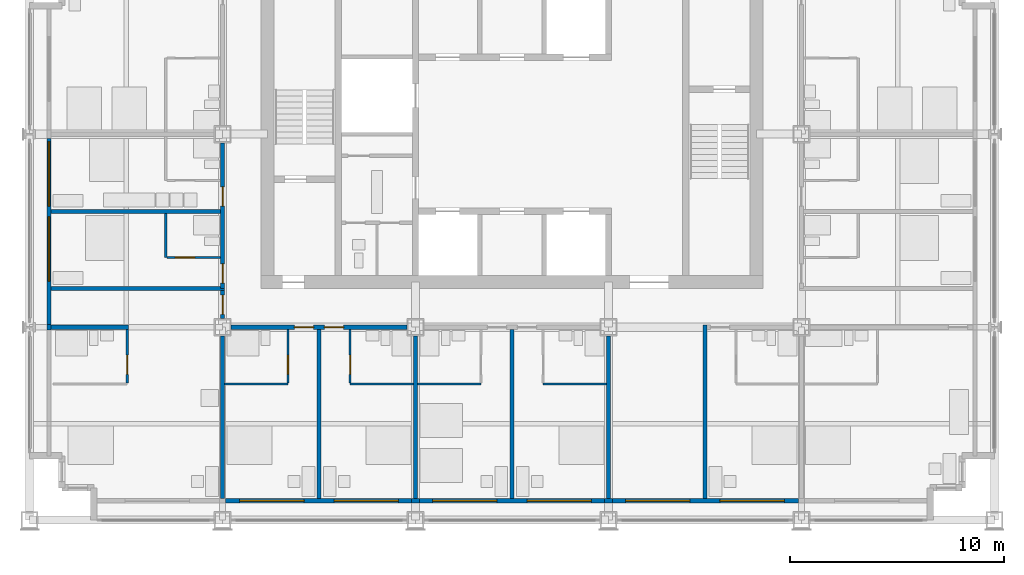
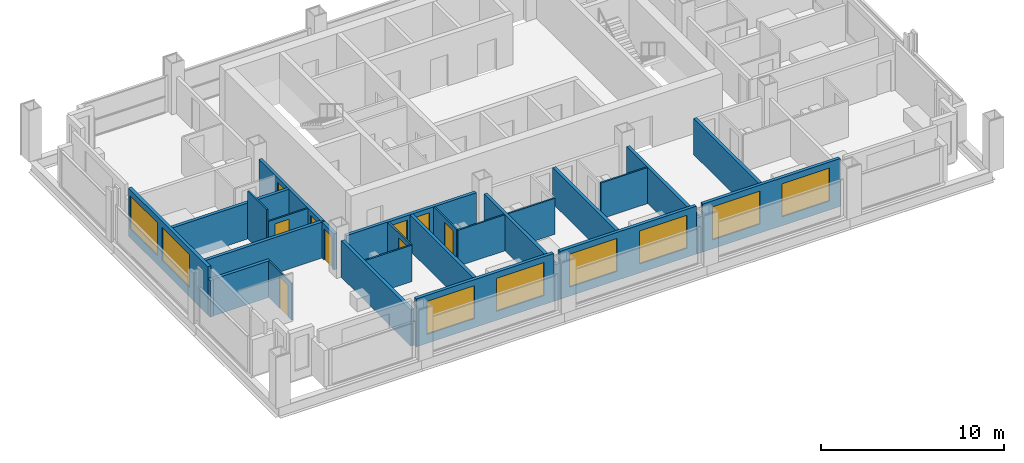
# One storey, part 7 of 14: 28 walls, 9 doors, 8 windows, 17 openings.
"""IFC4 building model written with IfcOpenShell, lengths in metres."""

from ifc_helpers import new_model, si_unit, direction, frame, frame_2d, origin, place, context, subcontext, project, spatial, rectangle, extrude, material, layer, layer_set, type_object, element, fill, save


model = new_model("IFC4")

# Units and contexts
model_context = context("Model", 3, precision=1e-05, world=origin(), true_north=direction((0.0, 1.0)))
body_context = subcontext(model_context, "Body", "Model", "MODEL_VIEW")
ifc_project = project(units=[si_unit("LENGTHUNIT", "METRE"), si_unit("AREAUNIT", "SQUARE_METRE"), si_unit("VOLUMEUNIT", "CUBIC_METRE"), si_unit("PLANEANGLEUNIT", "RADIAN"), si_unit("MASSUNIT", "GRAM", prefix="KILO")], contexts=[model_context])

# Site, building, storey
site_placement = place(None, origin())
site = spatial("IfcSite", under=ifc_project, at=site_placement, CompositionType="ELEMENT")
building_placement = place(site_placement, origin())
building = spatial("IfcBuilding", under=site, at=building_placement, Name="Loomwork Tower", CompositionType="ELEMENT")
storey_placement = place(building_placement, frame((0.0, 0.0, 170.60009765625)))
storey = spatial("IfcBuildingStorey", under=building, at=storey_placement, Name="L46", CompositionType="ELEMENT", Elevation=170.60009765625)

# Wall
ifc_material_1 = material(Name="Gypsum board on steel studs, one-hour", Category="steel")
ifc_layer_1 = layer(ifc_material_1, 0.199951171875)
ifc_layer_set_1 = layer_set([ifc_layer_1], Name="Corridor wall 200")
wall_type_1 = type_object("IfcWallType", Name="Corridor wall 200", PredefinedType="PARTITIONING", material=ifc_layer_set_1)
wall_1_placement = place(storey_placement, frame((1.0, 9.0, 0.0), z_axis=(0.0, 0.0, 1.0), x_axis=(1.0, 0.0, 0.0)))
element("IfcWall", 1, at=wall_1_placement, inside=storey, type_object=wall_type_1, Name="South corridor wall 1", PredefinedType="PARTITIONING", context=body_context, shape_type="SweptSolid", body=[
    extrude(rectangle(XDim=3.60009765625, YDim=0.199951171875, at=frame_2d((1.800048828125, 0.0))), origin(), (0.0, 0.0, 1.0), 2.43798828125),
])

# Wall, openings, doors
wall_2_placement = place(storey_placement, frame((9.39990234375, 9.0, 0.0), z_axis=(0.0, 0.0, 1.0), x_axis=(1.0, 0.0, 0.0)))
wall_2 = element("IfcWall", 2, at=wall_2_placement, inside=storey, type_object=wall_type_1, Name="South corridor wall 2", PredefinedType="PARTITIONING", context=body_context, shape_type="SweptSolid", body=[
    extrude(rectangle(XDim=8.2001953125, YDim=0.199951171875, at=frame_2d((4.10009765625, 0.0))), origin(), (0.0, 0.0, 1.0), 2.40478515625),
])
opening_1_placement = place(wall_2_placement, frame((2.949951171875, 0.0, 0.0)))
opening_1 = element("IfcOpeningElement", 3, at=opening_1_placement, cuts=wall_2, Name="Opening D1", PredefinedType="OPENING", context=body_context, shape_type="SweptSolid", body=[
    extrude(rectangle(XDim=0.89990234375, YDim=2.10009765625, at=frame_2d((0.449951171875, 1.050048828125))), frame((0.0, 0.10986328125, 0.0), z_axis=(0.0, -1.0, 0.0), x_axis=(1.0, 0.0, 0.0)), (0.0, 0.0, 1.0), 0.219970703125),
])
opening_2_placement = place(wall_2_placement, frame((4.35009765625, 0.0, 0.0)))
opening_2 = element("IfcOpeningElement", 4, at=opening_2_placement, cuts=wall_2, Name="Opening D1", PredefinedType="OPENING", context=body_context, shape_type="SweptSolid", body=[
    extrude(rectangle(XDim=0.89990234375, YDim=2.10009765625, at=frame_2d((0.449951171875, 1.050048828125))), frame((0.0, 0.10986328125, 0.0), z_axis=(0.0, -1.0, 0.0), x_axis=(1.0, 0.0, 0.0)), (0.0, 0.0, 1.0), 0.219970703125),
])
ifc_material_2 = material(Name="Hollow metal door and frame")
door_type_1 = type_object("IfcDoorType", Name="Guest room entry door 900", OperationType="SINGLE_SWING_LEFT", PredefinedType="DOOR", material=ifc_material_2)
door_1_placement = place(opening_1_placement, frame((0.89990234375, 0.0, 0.0), z_axis=(0.0, 0.0, 1.0), x_axis=(-1.0, 0.0, 0.0)))
door_1 = element("IfcDoor", 5, at=door_1_placement, inside=storey, type_object=door_type_1, Name="Guest room entry door L46 2", OperationType="SINGLE_SWING_LEFT", OverallHeight=2.10009765625, OverallWidth=0.89990234375, PredefinedType="DOOR", context=body_context, shape_type="SweptSolid", body=[
    extrude(rectangle(XDim=0.89990234375, YDim=2.10009765625, at=frame_2d((0.449951171875, 1.050048828125))), frame((0.0, 0.02490234375, 0.0), z_axis=(0.0, -1.0, 0.0), x_axis=(1.0, 0.0, 0.0)), (0.0, 0.0, 1.0), 0.050048828125),
])
fill(opening_1, door_1)
door_2_placement = place(opening_2_placement, frame((0.89990234375, 0.0, 0.0), z_axis=(0.0, 0.0, 1.0), x_axis=(-1.0, 0.0, 0.0)))
door_2 = element("IfcDoor", 6, at=door_2_placement, inside=storey, type_object=door_type_1, Name="Guest room entry door L46 3", OperationType="SINGLE_SWING_RIGHT", OverallHeight=2.10009765625, OverallWidth=0.89990234375, PredefinedType="DOOR", context=body_context, shape_type="SweptSolid", body=[
    extrude(rectangle(XDim=0.89990234375, YDim=2.10009765625, at=frame_2d((0.449951171875, 1.050048828125))), frame((0.0, 0.02490234375, 0.0), z_axis=(0.0, -1.0, 0.0), x_axis=(1.0, 0.0, 0.0)), (0.0, 0.0, 1.0), 0.050048828125),
])
fill(opening_2, door_2)

wall_3_placement = place(storey_placement, frame((9.0, 10.800048828125, 0.0), z_axis=(0.0, 0.0, 1.0), x_axis=(0.0, 1.0, 0.0)))
wall_3 = element("IfcWall", 7, at=wall_3_placement, inside=storey, type_object=wall_type_1, Name="West corridor wall 1", PredefinedType="PARTITIONING", context=body_context, shape_type="SweptSolid", body=[
    extrude(rectangle(XDim=6.800048828125, YDim=0.199951171875, at=frame_2d((3.39990234375, 0.0))), origin(), (0.0, 0.0, 1.0), 2.40478515625),
])
opening_3_placement = place(wall_3_placement, frame((0.25, 0.0, 0.0)))
opening_3 = element("IfcOpeningElement", 8, at=opening_3_placement, cuts=wall_3, Name="Opening D1", PredefinedType="OPENING", context=body_context, shape_type="SweptSolid", body=[
    extrude(rectangle(XDim=0.89990234375, YDim=2.10009765625, at=frame_2d((0.449951171875, 1.050048828125))), frame((0.0, 0.10986328125, 0.0), z_axis=(0.0, -1.0, 0.0), x_axis=(1.0, 0.0, 0.0)), (0.0, 0.0, 1.0), 0.219970703125),
])
opening_4_placement = place(wall_3_placement, frame((3.85009765625, 0.0, 0.0)))
opening_4 = element("IfcOpeningElement", 9, at=opening_4_placement, cuts=wall_3, Name="Opening D1", PredefinedType="OPENING", context=body_context, shape_type="SweptSolid", body=[
    extrude(rectangle(XDim=0.89990234375, YDim=2.10009765625, at=frame_2d((0.449951171875, 1.050048828125))), frame((0.0, 0.10986328125, 0.0), z_axis=(0.0, -1.0, 0.0), x_axis=(1.0, 0.0, 0.0)), (0.0, 0.0, 1.0), 0.219970703125),
])
door_3_placement = place(opening_3_placement, origin())
door_3 = element("IfcDoor", 10, at=door_3_placement, inside=storey, type_object=door_type_1, Name="Guest room entry door L46 8", OperationType="SINGLE_SWING_LEFT", OverallHeight=2.10009765625, OverallWidth=0.89990234375, PredefinedType="DOOR", context=body_context, shape_type="SweptSolid", body=[
    extrude(rectangle(XDim=0.89990234375, YDim=2.10009765625, at=frame_2d((0.449951171875, 1.050048828125))), frame((0.0, 0.02490234375, 0.0), z_axis=(0.0, -1.0, 0.0), x_axis=(1.0, 0.0, 0.0)), (0.0, 0.0, 1.0), 0.050048828125),
])
fill(opening_3, door_3)
door_4_placement = place(opening_4_placement, origin())
door_4 = element("IfcDoor", 11, at=door_4_placement, inside=storey, type_object=door_type_1, Name="Guest room entry door L46 9", OperationType="SINGLE_SWING_LEFT", OverallHeight=2.10009765625, OverallWidth=0.89990234375, PredefinedType="DOOR", context=body_context, shape_type="SweptSolid", body=[
    extrude(rectangle(XDim=0.89990234375, YDim=2.10009765625, at=frame_2d((0.449951171875, 1.050048828125))), frame((0.0, 0.02490234375, 0.0), z_axis=(0.0, -1.0, 0.0), x_axis=(1.0, 0.0, 0.0)), (0.0, 0.0, 1.0), 0.050048828125),
])
fill(opening_4, door_4)

# Wall
wall_4_placement = place(storey_placement, frame((1.0, 10.800048828125, 0.0), z_axis=(0.0, 0.0, 1.0), x_axis=(1.0, 0.0, 0.0)))
element("IfcWall", 12, at=wall_4_placement, inside=storey, type_object=wall_type_1, Name="West band end wall S", PredefinedType="PARTITIONING", context=body_context, shape_type="SweptSolid", body=[
    extrude(rectangle(XDim=8.10009765625, YDim=0.199951171875, at=frame_2d((4.050048828125, 0.0))), origin(), (0.0, 0.0, 1.0), 2.40380859375),
])

# Wall, opening, door
wall_5_placement = place(storey_placement, frame((9.0, 9.39990234375, 0.0), z_axis=(0.0, 0.0, 1.0), x_axis=(0.0, 1.0, 0.0)))
wall_5 = element("IfcWall", 13, at=wall_5_placement, inside=storey, type_object=wall_type_1, Name="Corner suite foyer wall", PredefinedType="PARTITIONING", context=body_context, shape_type="SweptSolid", body=[
    extrude(rectangle(XDim=1.300048828125, YDim=0.199951171875, at=frame_2d((0.64990234375, 0.0))), origin(), (0.0, 0.0, 1.0), 2.40478515625),
])
opening_5_placement = place(wall_5_placement, frame((0.199951171875, 0.0, 0.0)))
opening_5 = element("IfcOpeningElement", 14, at=opening_5_placement, cuts=wall_5, Name="Opening D1", PredefinedType="OPENING", context=body_context, shape_type="SweptSolid", body=[
    extrude(rectangle(XDim=0.89990234375, YDim=2.10009765625, at=frame_2d((0.449951171875, 1.050048828125))), frame((0.0, 0.10986328125, 0.0), z_axis=(0.0, -1.0, 0.0), x_axis=(1.0, 0.0, 0.0)), (0.0, 0.0, 1.0), 0.219970703125),
])
door_5_placement = place(opening_5_placement, origin())
door_5 = element("IfcDoor", 15, at=door_5_placement, inside=storey, type_object=door_type_1, Name="Guest room entry door L46 1", OperationType="SINGLE_SWING_RIGHT", OverallHeight=2.10009765625, OverallWidth=0.89990234375, PredefinedType="DOOR", context=body_context, shape_type="SweptSolid", body=[
    extrude(rectangle(XDim=0.89990234375, YDim=2.10009765625, at=frame_2d((0.449951171875, 1.050048828125))), frame((0.0, 0.02490234375, 0.0), z_axis=(0.0, -1.0, 0.0), x_axis=(1.0, 0.0, 0.0)), (0.0, 0.0, 1.0), 0.050048828125),
])
fill(opening_5, door_5)

ifc_material_3 = material(Name="Cement board on steel studs", Category="steel")
ifc_layer_2 = layer(ifc_material_3, 0.10009765625)
ifc_layer_set_2 = layer_set([ifc_layer_2], Name="En-suite partition 100")
wall_type_2 = type_object("IfcWallType", Name="En-suite partition 100", PredefinedType="PARTITIONING", material=ifc_layer_set_2)
wall_6_placement = place(storey_placement, frame((4.550048828125, 8.89990234375, 0.0), z_axis=(0.0, 0.0, 1.0), x_axis=(0.0, -1.0, 0.0)))
wall_6 = element("IfcWall", 16, at=wall_6_placement, inside=storey, type_object=wall_type_2, Name="En-suite side wall L46 room 1", PredefinedType="PARTITIONING", context=body_context, shape_type="SweptSolid", body=[
    extrude(rectangle(XDim=2.5, YDim=0.10009765625, at=frame_2d((1.25, 0.0))), origin(), (0.0, 0.0, 1.0), 2.43798828125),
])
opening_6_placement = place(wall_6_placement, frame((1.199951171875, 0.0, 0.0)))
opening_6 = element("IfcOpeningElement", 17, at=opening_6_placement, cuts=wall_6, Name="Opening D3", PredefinedType="OPENING", context=body_context, shape_type="SweptSolid", body=[
    extrude(rectangle(XDim=0.89990234375, YDim=2.10009765625, at=frame_2d((0.449951171875, 1.050048828125))), frame((0.0, 0.06005859375, 0.0), z_axis=(0.0, -1.0, 0.0), x_axis=(1.0, 0.0, 0.0)), (0.0, 0.0, 1.0), 0.1201171875),
])
ifc_material_4 = material(Name="Hollow metal door and frame")
door_type_2 = type_object("IfcDoorType", Name="Accessible en-suite door 900", OperationType="SLIDING_TO_LEFT", PredefinedType="DOOR", material=ifc_material_4)
door_6_placement = place(opening_6_placement, origin())
door_6 = element("IfcDoor", 18, at=door_6_placement, inside=storey, type_object=door_type_2, Name="Accessible en-suite door room 1", OperationType="SLIDING_TO_LEFT", OverallHeight=2.10009765625, OverallWidth=0.89990234375, PredefinedType="DOOR", context=body_context, shape_type="SweptSolid", body=[
    extrude(rectangle(XDim=0.89990234375, YDim=2.10009765625, at=frame_2d((0.449951171875, 1.050048828125))), frame((0.0, 0.02490234375, 0.0), z_axis=(0.0, -1.0, 0.0), x_axis=(1.0, 0.0, 0.0)), (0.0, 0.0, 1.0), 0.050048828125),
])
fill(opening_6, door_6)

# Wall
wall_7_placement = place(storey_placement, frame((9.10009765625, 6.35009765625, 0.0), z_axis=(0.0, 0.0, 1.0), x_axis=(1.0, 0.0, 0.0)))
element("IfcWall", 19, at=wall_7_placement, inside=storey, type_object=wall_type_2, Name="En-suite wall L46 room 2", PredefinedType="PARTITIONING", context=body_context, shape_type="SweptSolid", body=[
    extrude(rectangle(XDim=2.949951171875, YDim=0.10009765625, at=frame_2d((1.47509765625, 0.0))), origin(), (0.0, 0.0, 1.0), 2.43798828125),
])

# Wall, opening, door
wall_8_placement = place(storey_placement, frame((12.050048828125, 8.89990234375, 0.0), z_axis=(0.0, 0.0, 1.0), x_axis=(0.0, -1.0, 0.0)))
wall_8 = element("IfcWall", 20, at=wall_8_placement, inside=storey, type_object=wall_type_2, Name="En-suite side wall L46 room 2", PredefinedType="PARTITIONING", context=body_context, shape_type="SweptSolid", body=[
    extrude(rectangle(XDim=2.5, YDim=0.10009765625, at=frame_2d((1.25, 0.0))), origin(), (0.0, 0.0, 1.0), 2.40380859375),
])
opening_7_placement = place(wall_8_placement, frame((1.199951171875, 0.0, 0.0)))
opening_7 = element("IfcOpeningElement", 21, at=opening_7_placement, cuts=wall_8, Name="Opening D3", PredefinedType="OPENING", context=body_context, shape_type="SweptSolid", body=[
    extrude(rectangle(XDim=0.89990234375, YDim=2.10009765625, at=frame_2d((0.449951171875, 1.050048828125))), frame((0.0, 0.06005859375, 0.0), z_axis=(0.0, -1.0, 0.0), x_axis=(1.0, 0.0, 0.0)), (0.0, 0.0, 1.0), 0.1201171875),
])
door_7_placement = place(opening_7_placement, origin())
door_7 = element("IfcDoor", 22, at=door_7_placement, inside=storey, type_object=door_type_2, Name="Accessible en-suite door room 2", OperationType="SLIDING_TO_LEFT", OverallHeight=2.10009765625, OverallWidth=0.89990234375, PredefinedType="DOOR", context=body_context, shape_type="SweptSolid", body=[
    extrude(rectangle(XDim=0.89990234375, YDim=2.10009765625, at=frame_2d((0.449951171875, 1.050048828125))), frame((0.0, 0.02490234375, 0.0), z_axis=(0.0, -1.0, 0.0), x_axis=(1.0, 0.0, 0.0)), (0.0, 0.0, 1.0), 0.050048828125),
])
fill(opening_7, door_7)

# Wall
wall_9_placement = place(storey_placement, frame((14.949951171875, 6.35009765625, 0.0), z_axis=(0.0, 0.0, 1.0), x_axis=(1.0, 0.0, 0.0)))
element("IfcWall", 23, at=wall_9_placement, inside=storey, type_object=wall_type_2, Name="En-suite wall L46 room 3", PredefinedType="PARTITIONING", context=body_context, shape_type="SweptSolid", body=[
    extrude(rectangle(XDim=2.949951171875, YDim=0.10009765625, at=frame_2d((1.47509765625, 0.0))), origin(), (0.0, 0.0, 1.0), 2.40380859375),
])

# Wall, opening, door
wall_10_placement = place(storey_placement, frame((14.949951171875, 8.89990234375, 0.0), z_axis=(0.0, 0.0, 1.0), x_axis=(0.0, -1.0, 0.0)))
wall_10 = element("IfcWall", 24, at=wall_10_placement, inside=storey, type_object=wall_type_2, Name="En-suite side wall L46 room 3", PredefinedType="PARTITIONING", context=body_context, shape_type="SweptSolid", body=[
    extrude(rectangle(XDim=2.5, YDim=0.10009765625, at=frame_2d((1.25, 0.0))), origin(), (0.0, 0.0, 1.0), 2.40380859375),
])
opening_8_placement = place(wall_10_placement, frame((1.199951171875, 0.0, 0.0)))
opening_8 = element("IfcOpeningElement", 25, at=opening_8_placement, cuts=wall_10, Name="Opening D2", PredefinedType="OPENING", context=body_context, shape_type="SweptSolid", body=[
    extrude(rectangle(XDim=0.89990234375, YDim=2.10009765625, at=frame_2d((0.449951171875, 1.050048828125))), frame((0.0, 0.06005859375, 0.0), z_axis=(0.0, -1.0, 0.0), x_axis=(1.0, 0.0, 0.0)), (0.0, 0.0, 1.0), 0.1201171875),
])
ifc_material_5 = material(Name="Hollow metal door and frame")
door_type_3 = type_object("IfcDoorType", Name="En-suite door 900", OperationType="SINGLE_SWING_LEFT", PredefinedType="DOOR", material=ifc_material_5)
door_8_placement = place(opening_8_placement, origin())
door_8 = element("IfcDoor", 26, at=door_8_placement, inside=storey, type_object=door_type_3, Name="En-suite door room 3", OperationType="SINGLE_SWING_RIGHT", OverallHeight=2.10009765625, OverallWidth=0.89990234375, PredefinedType="DOOR", context=body_context, shape_type="SweptSolid", body=[
    extrude(rectangle(XDim=0.89990234375, YDim=2.10009765625, at=frame_2d((0.449951171875, 1.050048828125))), frame((0.0, 0.02490234375, 0.0), z_axis=(0.0, -1.0, 0.0), x_axis=(1.0, 0.0, 0.0)), (0.0, 0.0, 1.0), 0.050048828125),
])
fill(opening_8, door_8)

# Walls
for number, where, z_axis, x_axis, name in (
    (27, (18.10009765625, 6.35009765625, 0.0), (0.0, 0.0, 1.0), (1.0, 0.0, 0.0), "En-suite wall L46 room 4"),
    (28, (23.949951171875, 6.35009765625, 0.0), (0.0, 0.0, 1.0), (1.0, 0.0, 0.0), "En-suite wall L46 room 5"),
):
    element("IfcWall", number, at=place(storey_placement, frame(where, z_axis=z_axis, x_axis=x_axis)), inside=storey, type_object=wall_type_2, Name=name, PredefinedType="PARTITIONING", context=body_context, shape_type="SweptSolid", body=[
        extrude(rectangle(XDim=2.949951171875, YDim=0.10009765625, at=frame_2d((1.47509765625, 0.0))), origin(), (0.0, 0.0, 1.0), 2.40380859375),
    ])
wall_11_placement = place(storey_placement, frame((6.35009765625, 12.25, 0.0), z_axis=(0.0, 0.0, 1.0), x_axis=(0.0, 1.0, 0.0)))
element("IfcWall", 29, at=wall_11_placement, inside=storey, type_object=wall_type_2, Name="En-suite wall L46 room 8", PredefinedType="PARTITIONING", context=body_context, shape_type="SweptSolid", body=[
    extrude(rectangle(XDim=2.050048828125, YDim=0.10009765625, at=frame_2d((1.02490234375, 0.0))), origin(), (0.0, 0.0, 1.0), 3.199951171875),
])

# Wall, opening, door
wall_12_placement = place(storey_placement, frame((8.89990234375, 12.25, 0.0), z_axis=(0.0, 0.0, 1.0), x_axis=(-1.0, 0.0, 0.0)))
wall_12 = element("IfcWall", 30, at=wall_12_placement, inside=storey, type_object=wall_type_2, Name="En-suite side wall L46 room 8", PredefinedType="PARTITIONING", context=body_context, shape_type="SweptSolid", body=[
    extrude(rectangle(XDim=2.5, YDim=0.10009765625, at=frame_2d((1.25, 0.0))), origin(), (0.0, 0.0, 1.0), 2.40380859375),
])
opening_9_placement = place(wall_12_placement, frame((1.199951171875, 0.0, 0.0)))
opening_9 = element("IfcOpeningElement", 31, at=opening_9_placement, cuts=wall_12, Name="Opening D2", PredefinedType="OPENING", context=body_context, shape_type="SweptSolid", body=[
    extrude(rectangle(XDim=0.89990234375, YDim=2.10009765625, at=frame_2d((0.449951171875, 1.050048828125))), frame((0.0, 0.06005859375, 0.0), z_axis=(0.0, -1.0, 0.0), x_axis=(1.0, 0.0, 0.0)), (0.0, 0.0, 1.0), 0.1201171875),
])
door_9_placement = place(opening_9_placement, frame((0.89990234375, 0.0, 0.0), z_axis=(0.0, 0.0, 1.0), x_axis=(-1.0, 0.0, 0.0)))
door_9 = element("IfcDoor", 32, at=door_9_placement, inside=storey, type_object=door_type_3, Name="En-suite door room 8", OperationType="SINGLE_SWING_LEFT", OverallHeight=2.10009765625, OverallWidth=0.89990234375, PredefinedType="DOOR", context=body_context, shape_type="SweptSolid", body=[
    extrude(rectangle(XDim=0.89990234375, YDim=2.10009765625, at=frame_2d((0.449951171875, 1.050048828125))), frame((0.0, 0.02490234375, 0.0), z_axis=(0.0, -1.0, 0.0), x_axis=(1.0, 0.0, 0.0)), (0.0, 0.0, 1.0), 0.050048828125),
])
fill(opening_9, door_9)

# Walls
ifc_material_6 = material(Name="Gypsum board on steel studs, acoustic", Category="steel")
ifc_layer_3 = layer(ifc_material_6, 0.199951171875)
ifc_layer_set_3 = layer_set([ifc_layer_3], Name="Guest room party wall 200")
wall_type_3 = type_object("IfcWallType", Name="Guest room party wall 200", PredefinedType="PARTITIONING", material=ifc_layer_set_3)
wall_13_placement = place(storey_placement, frame((9.0, 8.60009765625, 0.0), z_axis=(0.0, 0.0, 1.0), x_axis=(0.0, -1.0, 0.0)))
element("IfcWall", 33, at=wall_13_placement, inside=storey, type_object=wall_type_3, Name="Guest room party wall S 9", PredefinedType="PARTITIONING", context=body_context, shape_type="SweptSolid", body=[
    extrude(rectangle(XDim=7.60009765625, YDim=0.199951171875, at=frame_2d((3.800048828125, 0.0))), origin(), (0.0, 0.0, 1.0), 2.43798828125),
])
wall_14_placement = place(storey_placement, frame((13.5, 8.89990234375, 0.0), z_axis=(0.0, 0.0, 1.0), x_axis=(0.0, -1.0, 0.0)))
element("IfcWall", 34, at=wall_14_placement, inside=storey, type_object=wall_type_3, Name="Guest room party wall S 13.5", PredefinedType="PARTITIONING", context=body_context, shape_type="SweptSolid", body=[
    extrude(rectangle(XDim=7.89990234375, YDim=0.199951171875, at=frame_2d((3.949951171875, 0.0))), origin(), (0.0, 0.0, 1.0), 2.40380859375),
])
wall_15_placement = place(storey_placement, frame((18.0, 8.60009765625, 0.0), z_axis=(0.0, 0.0, 1.0), x_axis=(0.0, -1.0, 0.0)))
element("IfcWall", 35, at=wall_15_placement, inside=storey, type_object=wall_type_3, Name="Guest room party wall S 18", PredefinedType="PARTITIONING", context=body_context, shape_type="SweptSolid", body=[
    extrude(rectangle(XDim=7.60009765625, YDim=0.199951171875, at=frame_2d((3.800048828125, 0.0))), origin(), (0.0, 0.0, 1.0), 2.40478515625),
])
wall_16_placement = place(storey_placement, frame((22.5, 8.89990234375, 0.0), z_axis=(0.0, 0.0, 1.0), x_axis=(0.0, -1.0, 0.0)))
element("IfcWall", 36, at=wall_16_placement, inside=storey, type_object=wall_type_3, Name="Guest room party wall S 22.5", PredefinedType="PARTITIONING", context=body_context, shape_type="SweptSolid", body=[
    extrude(rectangle(XDim=7.89990234375, YDim=0.199951171875, at=frame_2d((3.949951171875, 0.0))), origin(), (0.0, 0.0, 1.0), 2.40380859375),
])
wall_17_placement = place(storey_placement, frame((27.0, 8.60009765625, 0.0), z_axis=(0.0, 0.0, 1.0), x_axis=(0.0, -1.0, 0.0)))
element("IfcWall", 37, at=wall_17_placement, inside=storey, type_object=wall_type_3, Name="Guest room party wall S 27", PredefinedType="PARTITIONING", context=body_context, shape_type="SweptSolid", body=[
    extrude(rectangle(XDim=7.60009765625, YDim=0.199951171875, at=frame_2d((3.800048828125, 0.0))), origin(), (0.0, 0.0, 1.0), 2.40478515625),
])
wall_18_placement = place(storey_placement, frame((31.5, 9.10009765625, 0.0), z_axis=(0.0, 0.0, 1.0), x_axis=(0.0, -1.0, 0.0)))
element("IfcWall", 38, at=wall_18_placement, inside=storey, type_object=wall_type_3, Name="Guest room party wall S 31.5", PredefinedType="PARTITIONING", context=body_context, shape_type="SweptSolid", body=[
    extrude(rectangle(XDim=8.10009765625, YDim=0.199951171875, at=frame_2d((4.050048828125, 0.0))), origin(), (0.0, 0.0, 1.0), 2.40380859375),
])
wall_19_placement = place(storey_placement, frame((8.89990234375, 14.39990234375, 0.0), z_axis=(0.0, 0.0, 1.0), x_axis=(-1.0, 0.0, 0.0)))
element("IfcWall", 39, at=wall_19_placement, inside=storey, type_object=wall_type_3, Name="Guest room party wall W 14.4", PredefinedType="PARTITIONING", context=body_context, shape_type="SweptSolid", body=[
    extrude(rectangle(XDim=7.89990234375, YDim=0.199951171875, at=frame_2d((3.949951171875, 0.0))), origin(), (0.0, 0.0, 1.0), 2.40380859375),
])

# Wall, openings, windows
ifc_material_7 = material(Name="Insulated steel stud wall with gypsum lining", Category="steel")
ifc_layer_4 = layer(ifc_material_7, 0.199951171875)
ifc_layer_set_4 = layer_set([ifc_layer_4], Name="Inner skin wall 200")
wall_type_4 = type_object("IfcWallType", Name="Inner skin wall 200", PredefinedType="SOLIDWALL", material=ifc_layer_set_4)
wall_20_placement = place(storey_placement, frame((9.13525390625, 0.89990234375, 0.0), z_axis=(0.0, 0.0, 1.0), x_axis=(1.0, 0.0, 0.0)))
wall_20 = element("IfcWall", 40, at=wall_20_placement, inside=storey, type_object=wall_type_4, Name="Inner skin wall S bay 3", PredefinedType="SOLIDWALL", context=body_context, shape_type="SweptSolid", body=[
    extrude(rectangle(XDim=8.6708984375, YDim=0.199951171875, at=frame_2d((4.33544921875, 0.0))), origin(), (0.0, 0.0, 1.0), 3.199951171875),
])
opening_10_placement = place(wall_20_placement, frame((0.664794921875, 0.0, 0.60009765625)))
opening_10 = element("IfcOpeningElement", 41, at=opening_10_placement, cuts=wall_20, Name="Opening CH1", PredefinedType="OPENING", context=body_context, shape_type="SweptSolid", body=[
    extrude(rectangle(XDim=3.0, YDim=2.199951171875, at=frame_2d((1.5, 1.10009765625))), frame((0.0, 0.10986328125, 0.0), z_axis=(0.0, -1.0, 0.0), x_axis=(1.0, 0.0, 0.0)), (0.0, 0.0, 1.0), 0.219970703125),
])
opening_11_placement = place(wall_20_placement, frame((5.064697265625, 0.0, 0.60009765625)))
opening_11 = element("IfcOpeningElement", 42, at=opening_11_placement, cuts=wall_20, Name="Opening CH1", PredefinedType="OPENING", context=body_context, shape_type="SweptSolid", body=[
    extrude(rectangle(XDim=3.0, YDim=2.199951171875, at=frame_2d((1.5, 1.10009765625))), frame((0.0, 0.10986328125, 0.0), z_axis=(0.0, -1.0, 0.0), x_axis=(1.0, 0.0, 0.0)), (0.0, 0.0, 1.0), 0.219970703125),
])
ifc_material_8 = material(Name="Aluminium frame with clear insulated glass", Category="aluminium")
window_type = type_object("IfcWindowType", Name="Chicago window 3000", PartitioningType="TRIPLE_PANEL_VERTICAL", PredefinedType="WINDOW", material=ifc_material_8)
window_1_placement = place(opening_10_placement, origin())
window_1 = element("IfcWindow", 43, at=window_1_placement, inside=storey, type_object=window_type, Name="Chicago window L46 bay 2", OverallHeight=2.199951171875, OverallWidth=3.0, PartitioningType="TRIPLE_PANEL_VERTICAL", PredefinedType="WINDOW", context=body_context, shape_type="SweptSolid", body=[
    extrude(rectangle(XDim=3.0, YDim=2.199951171875, at=frame_2d((1.5, 1.10009765625))), frame((0.0, 0.030029296875, 0.0), z_axis=(0.0, -1.0, 0.0), x_axis=(1.0, 0.0, 0.0)), (0.0, 0.0, 1.0), 0.06005859375),
])
fill(opening_10, window_1)
window_2_placement = place(opening_11_placement, origin())
window_2 = element("IfcWindow", 44, at=window_2_placement, inside=storey, type_object=window_type, Name="Chicago window L46 bay 2", OverallHeight=2.199951171875, OverallWidth=3.0, PartitioningType="TRIPLE_PANEL_VERTICAL", PredefinedType="WINDOW", context=body_context, shape_type="SweptSolid", body=[
    extrude(rectangle(XDim=3.0, YDim=2.199951171875, at=frame_2d((1.5, 1.10009765625))), frame((0.0, 0.030029296875, 0.0), z_axis=(0.0, -1.0, 0.0), x_axis=(1.0, 0.0, 0.0)), (0.0, 0.0, 1.0), 0.06005859375),
])
fill(opening_11, window_2)

# Wall
wall_21_placement = place(storey_placement, frame((17.80615234375, 0.89990234375, 0.0), z_axis=(0.0, 0.0, 1.0), x_axis=(1.0, 0.0, 0.0)))
element("IfcWall", 45, at=wall_21_placement, inside=storey, type_object=wall_type_4, Name="Inner skin wall S bay 4", PredefinedType="SOLIDWALL", context=body_context, shape_type="SweptSolid", body=[
    extrude(rectangle(XDim=0.3876953125, YDim=0.199951171875, at=frame_2d((0.19384765625, 0.0))), origin(), (0.0, 0.0, 1.0), 2.40380859375),
])

# Wall, openings, windows
wall_22_placement = place(storey_placement, frame((18.19384765625, 0.89990234375, 0.0), z_axis=(0.0, 0.0, 1.0), x_axis=(1.0, 0.0, 0.0)))
wall_22 = element("IfcWall", 46, at=wall_22_placement, inside=storey, type_object=wall_type_4, Name="Inner skin wall S bay 5", PredefinedType="SOLIDWALL", context=body_context, shape_type="SweptSolid", body=[
    extrude(rectangle(XDim=8.6123046875, YDim=0.199951171875, at=frame_2d((4.30615234375, 0.0))), origin(), (0.0, 0.0, 1.0), 3.199951171875),
])
opening_12_placement = place(wall_22_placement, frame((0.606201171875, 0.0, 0.60009765625)))
opening_12 = element("IfcOpeningElement", 47, at=opening_12_placement, cuts=wall_22, Name="Opening CH1", PredefinedType="OPENING", context=body_context, shape_type="SweptSolid", body=[
    extrude(rectangle(XDim=3.0, YDim=2.199951171875, at=frame_2d((1.5, 1.10009765625))), frame((0.0, 0.10986328125, 0.0), z_axis=(0.0, -1.0, 0.0), x_axis=(1.0, 0.0, 0.0)), (0.0, 0.0, 1.0), 0.219970703125),
])
opening_13_placement = place(wall_22_placement, frame((5.006103515625, 0.0, 0.60009765625)))
opening_13 = element("IfcOpeningElement", 48, at=opening_13_placement, cuts=wall_22, Name="Opening CH1", PredefinedType="OPENING", context=body_context, shape_type="SweptSolid", body=[
    extrude(rectangle(XDim=3.0, YDim=2.199951171875, at=frame_2d((1.5, 1.10009765625))), frame((0.0, 0.10986328125, 0.0), z_axis=(0.0, -1.0, 0.0), x_axis=(1.0, 0.0, 0.0)), (0.0, 0.0, 1.0), 0.219970703125),
])
window_3_placement = place(opening_12_placement, origin())
window_3 = element("IfcWindow", 49, at=window_3_placement, inside=storey, type_object=window_type, Name="Chicago window L46 bay 3", OverallHeight=2.199951171875, OverallWidth=3.0, PartitioningType="TRIPLE_PANEL_VERTICAL", PredefinedType="WINDOW", context=body_context, shape_type="SweptSolid", body=[
    extrude(rectangle(XDim=3.0, YDim=2.199951171875, at=frame_2d((1.5, 1.10009765625))), frame((0.0, 0.030029296875, 0.0), z_axis=(0.0, -1.0, 0.0), x_axis=(1.0, 0.0, 0.0)), (0.0, 0.0, 1.0), 0.06005859375),
])
fill(opening_12, window_3)
window_4_placement = place(opening_13_placement, origin())
window_4 = element("IfcWindow", 50, at=window_4_placement, inside=storey, type_object=window_type, Name="Chicago window L46 bay 3", OverallHeight=2.199951171875, OverallWidth=3.0, PartitioningType="TRIPLE_PANEL_VERTICAL", PredefinedType="WINDOW", context=body_context, shape_type="SweptSolid", body=[
    extrude(rectangle(XDim=3.0, YDim=2.199951171875, at=frame_2d((1.5, 1.10009765625))), frame((0.0, 0.030029296875, 0.0), z_axis=(0.0, -1.0, 0.0), x_axis=(1.0, 0.0, 0.0)), (0.0, 0.0, 1.0), 0.06005859375),
])
fill(opening_13, window_4)

# Wall
wall_23_placement = place(storey_placement, frame((26.80615234375, 0.89990234375, 0.0), z_axis=(0.0, 0.0, 1.0), x_axis=(1.0, 0.0, 0.0)))
element("IfcWall", 51, at=wall_23_placement, inside=storey, type_object=wall_type_4, Name="Inner skin wall S bay 6", PredefinedType="SOLIDWALL", context=body_context, shape_type="SweptSolid", body=[
    extrude(rectangle(XDim=0.3876953125, YDim=0.199951171875, at=frame_2d((0.19384765625, 0.0))), origin(), (0.0, 0.0, 1.0), 2.40380859375),
])

# Wall, openings, windows
wall_24_placement = place(storey_placement, frame((27.19384765625, 0.89990234375, 0.0), z_axis=(0.0, 0.0, 1.0), x_axis=(1.0, 0.0, 0.0)))
wall_24 = element("IfcWall", 52, at=wall_24_placement, inside=storey, type_object=wall_type_4, Name="Inner skin wall S bay 7", PredefinedType="SOLIDWALL", context=body_context, shape_type="SweptSolid", body=[
    extrude(rectangle(XDim=8.670654296875, YDim=0.199951171875, at=frame_2d((4.33544921875, 0.0))), origin(), (0.0, 0.0, 1.0), 3.199951171875),
])
opening_14_placement = place(wall_24_placement, frame((0.606201171875, 0.0, 0.60009765625)))
opening_14 = element("IfcOpeningElement", 53, at=opening_14_placement, cuts=wall_24, Name="Opening CH1", PredefinedType="OPENING", context=body_context, shape_type="SweptSolid", body=[
    extrude(rectangle(XDim=3.0, YDim=2.199951171875, at=frame_2d((1.5, 1.10009765625))), frame((0.0, 0.10986328125, 0.0), z_axis=(0.0, -1.0, 0.0), x_axis=(1.0, 0.0, 0.0)), (0.0, 0.0, 1.0), 0.219970703125),
])
opening_15_placement = place(wall_24_placement, frame((5.006103515625, 0.0, 0.60009765625)))
opening_15 = element("IfcOpeningElement", 54, at=opening_15_placement, cuts=wall_24, Name="Opening CH1", PredefinedType="OPENING", context=body_context, shape_type="SweptSolid", body=[
    extrude(rectangle(XDim=3.0, YDim=2.199951171875, at=frame_2d((1.5, 1.10009765625))), frame((0.0, 0.10986328125, 0.0), z_axis=(0.0, -1.0, 0.0), x_axis=(1.0, 0.0, 0.0)), (0.0, 0.0, 1.0), 0.219970703125),
])
window_5_placement = place(opening_14_placement, origin())
window_5 = element("IfcWindow", 55, at=window_5_placement, inside=storey, type_object=window_type, Name="Chicago window L46 bay 4", OverallHeight=2.199951171875, OverallWidth=3.0, PartitioningType="TRIPLE_PANEL_VERTICAL", PredefinedType="WINDOW", context=body_context, shape_type="SweptSolid", body=[
    extrude(rectangle(XDim=3.0, YDim=2.199951171875, at=frame_2d((1.5, 1.10009765625))), frame((0.0, 0.030029296875, 0.0), z_axis=(0.0, -1.0, 0.0), x_axis=(1.0, 0.0, 0.0)), (0.0, 0.0, 1.0), 0.06005859375),
])
fill(opening_14, window_5)
window_6_placement = place(opening_15_placement, origin())
window_6 = element("IfcWindow", 56, at=window_6_placement, inside=storey, type_object=window_type, Name="Chicago window L46 bay 4", OverallHeight=2.199951171875, OverallWidth=3.0, PartitioningType="TRIPLE_PANEL_VERTICAL", PredefinedType="WINDOW", context=body_context, shape_type="SweptSolid", body=[
    extrude(rectangle(XDim=3.0, YDim=2.199951171875, at=frame_2d((1.5, 1.10009765625))), frame((0.0, 0.030029296875, 0.0), z_axis=(0.0, -1.0, 0.0), x_axis=(1.0, 0.0, 0.0)), (0.0, 0.0, 1.0), 0.06005859375),
])
fill(opening_15, window_6)

# Wall
wall_25_placement = place(storey_placement, frame((0.89990234375, 8.86474609375, 0.0), z_axis=(0.0, 0.0, 1.0), x_axis=(0.0, 1.0, 0.0)))
element("IfcWall", 57, at=wall_25_placement, inside=storey, type_object=wall_type_4, Name="Inner skin wall W bay 4", PredefinedType="SOLIDWALL", context=body_context, shape_type="SweptSolid", body=[
    extrude(rectangle(XDim=0.2705078125, YDim=0.199951171875, at=frame_2d((0.13525390625, 0.0))), origin(), (0.0, 0.0, 1.0), 2.43798828125),
])

# Wall, openings, windows
wall_26_placement = place(storey_placement, frame((0.89990234375, 9.13525390625, 0.0), z_axis=(0.0, 0.0, 1.0), x_axis=(0.0, 1.0, 0.0)))
wall_26 = element("IfcWall", 58, at=wall_26_placement, inside=storey, type_object=wall_type_4, Name="Inner skin wall W bay 5", PredefinedType="SOLIDWALL", context=body_context, shape_type="SweptSolid", body=[
    extrude(rectangle(XDim=8.6708984375, YDim=0.199951171875, at=frame_2d((4.33544921875, 0.0))), origin(), (0.0, 0.0, 1.0), 3.199951171875),
])
opening_16_placement = place(wall_26_placement, frame((2.0146484375, 0.0, 0.60009765625)))
opening_16 = element("IfcOpeningElement", 59, at=opening_16_placement, cuts=wall_26, Name="Opening CH1", PredefinedType="OPENING", context=body_context, shape_type="SweptSolid", body=[
    extrude(rectangle(XDim=3.0, YDim=2.199951171875, at=frame_2d((1.5, 1.10009765625))), frame((0.0, 0.10986328125, 0.0), z_axis=(0.0, -1.0, 0.0), x_axis=(1.0, 0.0, 0.0)), (0.0, 0.0, 1.0), 0.219970703125),
])
opening_17_placement = place(wall_26_placement, frame((5.5146484375, 0.0, 0.60009765625)))
opening_17 = element("IfcOpeningElement", 60, at=opening_17_placement, cuts=wall_26, Name="Opening CH1", PredefinedType="OPENING", context=body_context, shape_type="SweptSolid", body=[
    extrude(rectangle(XDim=3.0, YDim=2.199951171875, at=frame_2d((1.5, 1.10009765625))), frame((0.0, 0.10986328125, 0.0), z_axis=(0.0, -1.0, 0.0), x_axis=(1.0, 0.0, 0.0)), (0.0, 0.0, 1.0), 0.219970703125),
])
window_7_placement = place(opening_16_placement, origin())
window_7 = element("IfcWindow", 61, at=window_7_placement, inside=storey, type_object=window_type, Name="Chicago window L46 bay 6", OverallHeight=2.199951171875, OverallWidth=3.0, PartitioningType="TRIPLE_PANEL_VERTICAL", PredefinedType="WINDOW", context=body_context, shape_type="SweptSolid", body=[
    extrude(rectangle(XDim=3.0, YDim=2.199951171875, at=frame_2d((1.5, 1.10009765625))), frame((0.0, 0.030029296875, 0.0), z_axis=(0.0, -1.0, 0.0), x_axis=(1.0, 0.0, 0.0)), (0.0, 0.0, 1.0), 0.06005859375),
])
fill(opening_16, window_7)
window_8_placement = place(opening_17_placement, origin())
window_8 = element("IfcWindow", 62, at=window_8_placement, inside=storey, type_object=window_type, Name="Chicago window L46 bay 6", OverallHeight=2.199951171875, OverallWidth=3.0, PartitioningType="TRIPLE_PANEL_VERTICAL", PredefinedType="WINDOW", context=body_context, shape_type="SweptSolid", body=[
    extrude(rectangle(XDim=3.0, YDim=2.199951171875, at=frame_2d((1.5, 1.10009765625))), frame((0.0, 0.030029296875, 0.0), z_axis=(0.0, -1.0, 0.0), x_axis=(1.0, 0.0, 0.0)), (0.0, 0.0, 1.0), 0.06005859375),
])
fill(opening_17, window_8)

save(model, "model.ifc")
